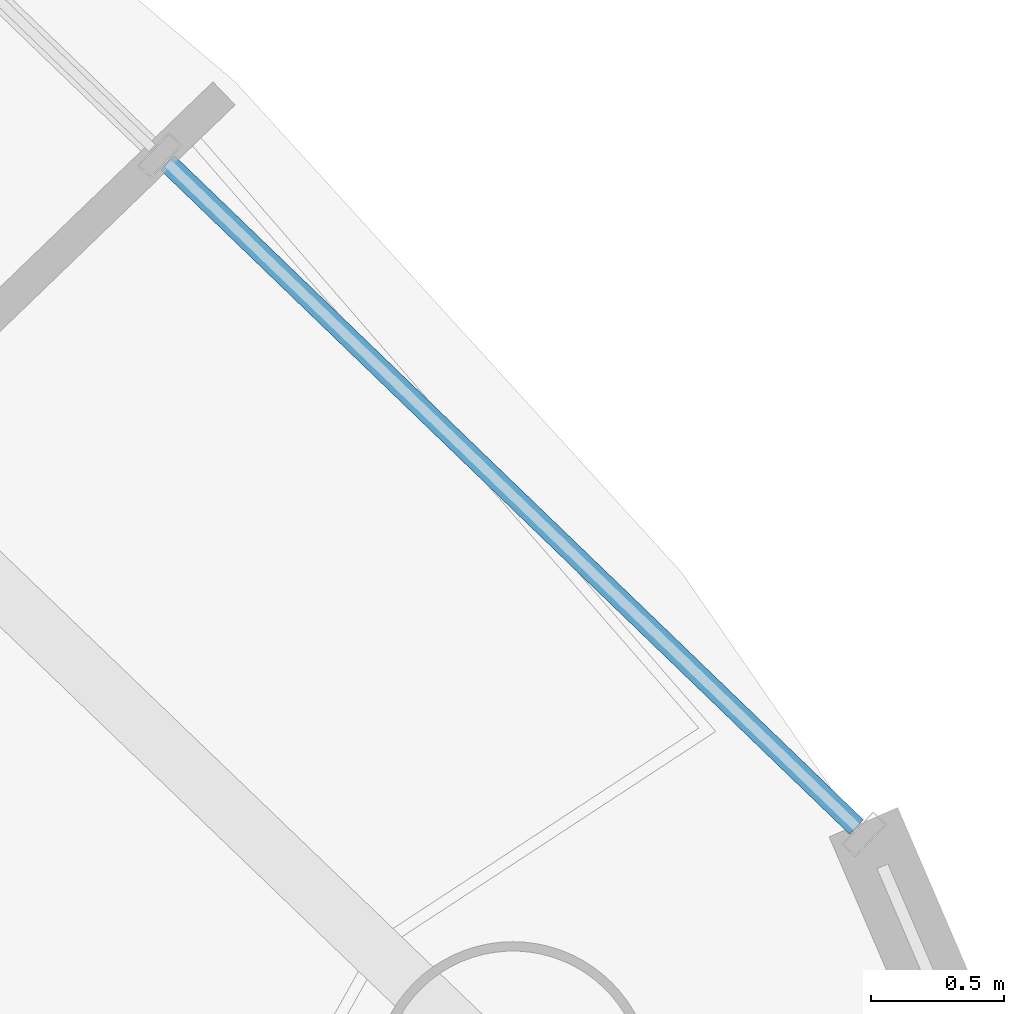
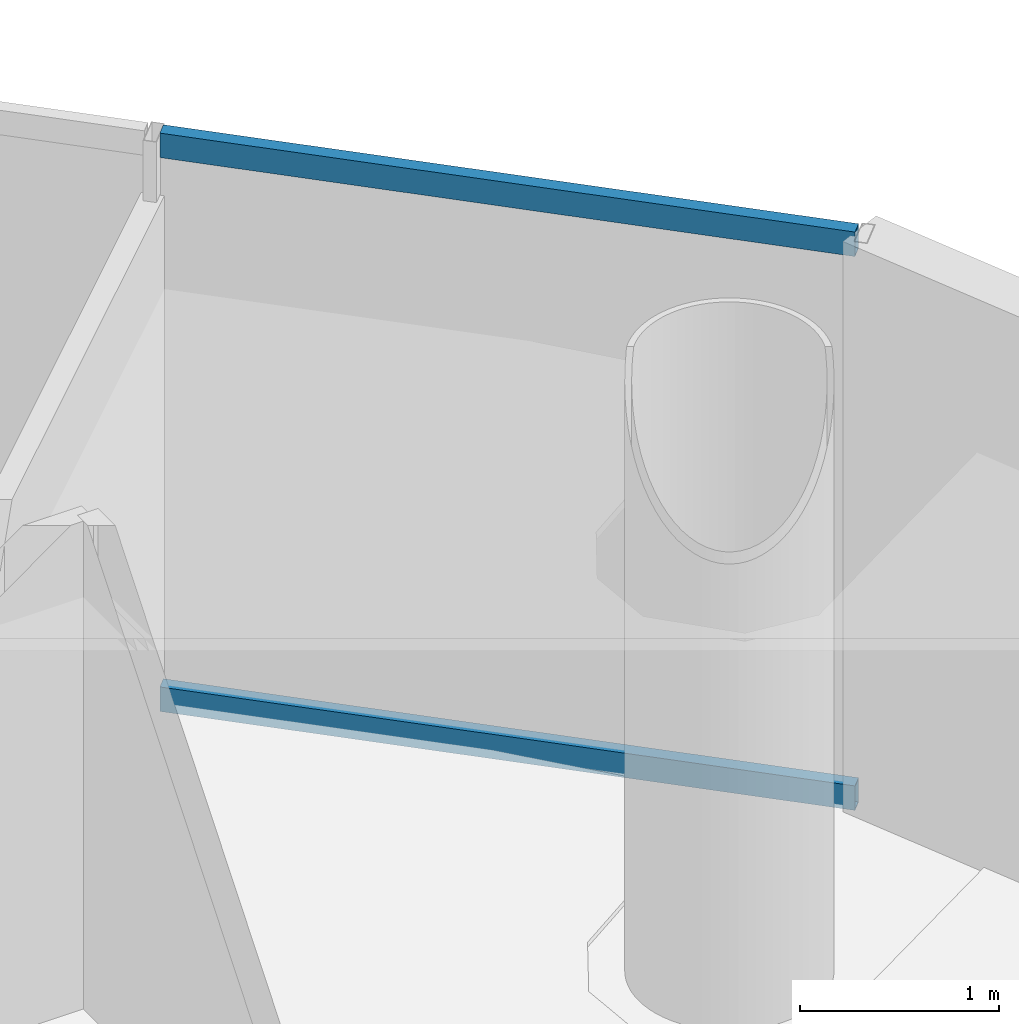
# One storey, part 12 of 23: 2 members, 1 element without a shape of its own.
"""IFC4 building model written with IfcOpenShell, lengths in metres."""

from ifc_helpers import new_model, si_unit, direction, frame, origin, origin_2d, place, context, subcontext, project, spatial, hollow_rectangle, extrude, source, transform, mapped, material, material_profile, profile_set, type_object, element, aggregate, save


model = new_model("IFC4")

# Units and contexts
model_context = context("Model", 3, precision=1e-05, world=origin(), true_north=direction((-0.2419218956, 0.970295726276)))
body_context = subcontext(model_context, "Body", "Model", "MODEL_VIEW")
ifc_project = project(units=[si_unit("LENGTHUNIT", "METRE"), si_unit("AREAUNIT", "SQUARE_METRE"), si_unit("VOLUMEUNIT", "CUBIC_METRE"), si_unit("PLANEANGLEUNIT", "RADIAN"), si_unit("MASSUNIT", "GRAM", prefix="KILO")], contexts=[model_context])

# Site, building, storey
site_placement = place(None, origin())
site = spatial("IfcSite", under=ifc_project, at=site_placement, CompositionType="ELEMENT")
building_placement = place(site_placement, origin())
building = spatial("IfcBuilding", under=site, at=building_placement, Name="Cobrevalo Terracotta Tower", CompositionType="ELEMENT")
storey_placement = place(building_placement, frame((0.0, 0.0, 251.949951171875)))
storey = spatial("IfcBuildingStorey", under=building, at=storey_placement, Name="L66", CompositionType="ELEMENT", Elevation=251.949951171875)

# Curtain wall, members
ifc_material = material(Name="Anodized aluminium", Category="aluminium")
curtain_wall_type = type_object("IfcCurtainWallType", Name="Upper-tower triple-glazed penthouse curtain wall CW-U3", PredefinedType="NOTDEFINED", material=ifc_material)
curtain_wall_placement = place(storey_placement, origin())
curtain_wall = element("IfcCurtainWall", 1, at=curtain_wall_placement, inside=storey, type_object=curtain_wall_type, Name="L66 curtain wall CW-L66-S02", PredefinedType="NOTDEFINED")
ifc_material_profile = material_profile(ifc_material, hollow_rectangle(XDim=0.074951171875, YDim=0.14990234375, WallThickness=0.00439453125, at=origin_2d()), Name="CWT 75x150")
ifc_profile_set = profile_set([ifc_material_profile], Name="Anodized aluminium")
member_type = type_object("IfcMemberType", Name="Tower unitised aluminium transom 75x150", PredefinedType="USERDEFINED", material=ifc_profile_set)
shared_shape = source(origin(), body_context, "Body", "SweptSolid", [
    extrude(hollow_rectangle(XDim=0.074951171875, YDim=0.14990234375, WallThickness=0.00439453125, at=origin_2d()), origin(), (0.0, 0.0, 1.0), 3.59130859375),
])
member_1_placement = place(storey_placement, frame((54.0478515625, 37.22802734375, 0.050048828125), z_axis=(-0.720005628362, 0.693968223427, 0.0), x_axis=(-0.693968223427, -0.720005628362, 0.0)))
member_1 = element("IfcMember", 2, at=member_1_placement, type_object=member_type, Name="CW-L66-S02 transom B01-T1", ObjectType="TRANSOM", PredefinedType="USERDEFINED", context=body_context, shape_type="MappedRepresentation", body=[
    mapped(shared_shape, transform((0.0, 0.0, 0.0), scale=1.0)),
])
member_2_placement = place(storey_placement, frame((54.0478515625, 37.22802734375, 3.43994140625), z_axis=(-0.720005628362, 0.693968223427, 0.0), x_axis=(-0.693968223427, -0.720005628362, 0.0)))
member_2 = element("IfcMember", 3, at=member_2_placement, type_object=member_type, Name="CW-L66-S02 transom B01-T2", ObjectType="TRANSOM", PredefinedType="USERDEFINED", context=body_context, shape_type="MappedRepresentation", body=[
    mapped(shared_shape, transform((0.0, 0.0, 0.0), scale=1.0)),
])
aggregate(curtain_wall, [member_1, member_2])

save(model, "model.ifc")
